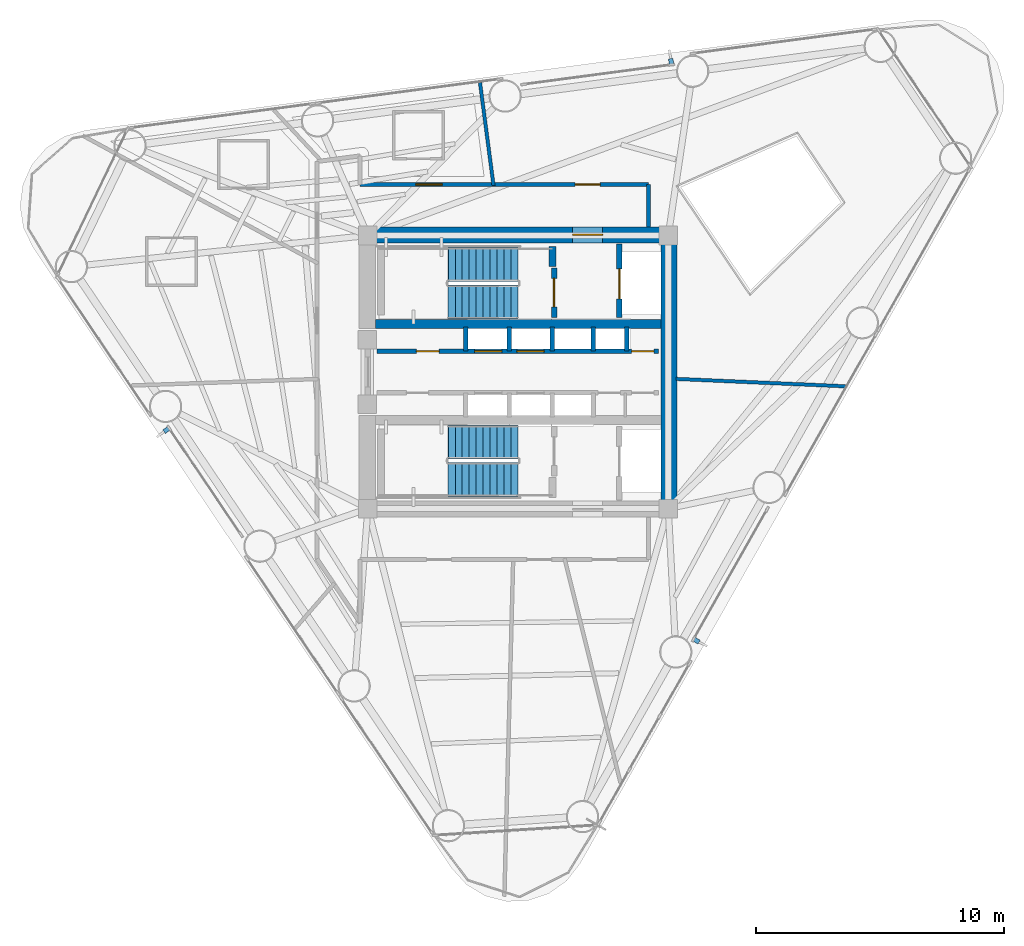
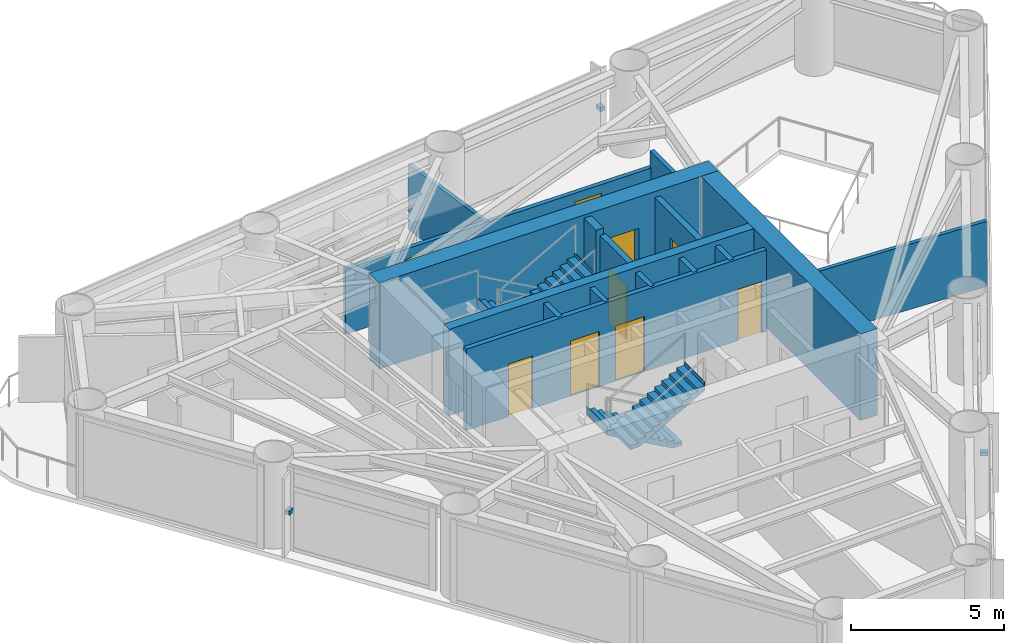
# One storey, part 6 of 9: 16 walls, 9 doors, 4 stair flights, 3 discrete accessories, 9 openings, 2 elements without a shape of their own.
"""IFC4 building model written with IfcOpenShell, lengths in metres."""

from ifc_helpers import new_model, si_unit, direction, frame, frame_2d, origin, origin_2d, place, context, subcontext, project, spatial, polyline, rectangle, outline, extrude, source, transform, mapped, material, layer, layer_set, type_object, element, fill, aggregate, save


model = new_model("IFC4")

# Units and contexts
model_context = context("Model", 3, precision=1e-05, world=origin(), true_north=direction((0.0, 1.0)))
body_context = subcontext(model_context, "Body", "Model", "MODEL_VIEW")
ifc_project = project(units=[si_unit("LENGTHUNIT", "METRE"), si_unit("AREAUNIT", "SQUARE_METRE"), si_unit("VOLUMEUNIT", "CUBIC_METRE"), si_unit("PLANEANGLEUNIT", "RADIAN"), si_unit("MASSUNIT", "GRAM", prefix="KILO")], contexts=[model_context])

# Site, building, storey
site_placement = place(None, origin())
site = spatial("IfcSite", under=ifc_project, at=site_placement, CompositionType="ELEMENT")
building_placement = place(site_placement, origin())
building = spatial("IfcBuilding", under=site, at=building_placement, Name="Yunling Apex Tower", CompositionType="ELEMENT")
storey_placement = place(building_placement, frame((0.0, 0.0, 169.10009765625)))
storey = spatial("IfcBuildingStorey", under=building, at=storey_placement, Name="L41", CompositionType="ELEMENT", Elevation=169.10009765625)

# Wall, opening, door
ifc_material_1 = material(Name="Concrete C50", Category="concrete")
ifc_layer_1 = layer(ifc_material_1, 0.64990234375)
ifc_layer_set_1 = layer_set([ifc_layer_1], Name="Concrete C50")
wall_type_1 = type_object("IfcWallType", Name="WL-COR-2", PredefinedType="SHEAR", material=ifc_layer_set_1)
wall_1_placement = place(storey_placement, frame((-6.39990234375, 5.52490234375, 0.0), z_axis=(0.0, 0.0, 1.0), x_axis=(1.0, 0.0, 0.0)))
wall_1 = element("IfcWall", 1, at=wall_1_placement, inside=storey, type_object=wall_type_1, Name="L41 North Core Shear Wall", PredefinedType="SHEAR", context=body_context, shape_type="SweptSolid", body=[
    extrude(rectangle(XDim=12.7998046875, YDim=0.64990234375, at=frame_2d((6.39990234375, 0.0))), origin(), (0.0, 0.0, 1.0), 3.449951171875),
])
opening_1_placement = place(wall_1_placement, frame((8.60009765625, 0.0, 0.0)))
opening_1 = element("IfcOpeningElement", 2, at=opening_1_placement, cuts=wall_1, Name="Opening DR-FFL-1", PredefinedType="OPENING", context=body_context, shape_type="SweptSolid", body=[
    extrude(rectangle(XDim=1.199951171875, YDim=2.199951171875, at=frame_2d((0.60009765625, 1.10009765625))), frame((0.0, 0.3349609375, 0.0), z_axis=(0.0, -1.0, 0.0), x_axis=(1.0, 0.0, 0.0)), (0.0, 0.0, 1.0), 0.669921875),
])
ifc_material_2 = material(Name="Steel Q355B", Category="steel")
door_type_1 = type_object("IfcDoorType", Name="DR-FFL-1", OperationType="NOTDEFINED", PredefinedType="DOOR", material=ifc_material_2)
door_1_placement = place(opening_1_placement, origin())
door_1 = element("IfcDoor", 3, at=door_1_placement, inside=storey, type_object=door_type_1, Name="L41 North Firefighting Lobby Door", OperationType="SINGLE_SWING_LEFT", OverallHeight=2.199951171875, OverallWidth=1.199951171875, PredefinedType="DOOR", context=body_context, shape_type="SweptSolid", body=[
    extrude(rectangle(XDim=1.199951171875, YDim=2.199951171875, at=frame_2d((0.60009765625, 1.10009765625))), frame((0.0, 0.02490234375, 0.0), z_axis=(0.0, -1.0, 0.0), x_axis=(1.0, 0.0, 0.0)), (0.0, 0.0, 1.0), 0.050048828125),
])
fill(opening_1, door_1)

# Walls
wall_2_placement = place(storey_placement, frame((6.074951171875, -5.199951171875, 0.0), z_axis=(0.0, 0.0, 1.0), x_axis=(0.0, 1.0, 0.0)))
element("IfcWall", 4, at=wall_2_placement, inside=storey, type_object=wall_type_1, Name="L41 East Core Shear Wall", PredefinedType="SHEAR", context=body_context, shape_type="SweptSolid", body=[
    extrude(rectangle(XDim=10.39990234375, YDim=0.64990234375, at=frame_2d((5.199951171875, 0.0))), origin(), (0.0, 0.0, 1.0), 3.449951171875),
])
ifc_material_3 = material(Name="Concrete C40", Category="concrete")
ifc_layer_2 = layer(ifc_material_3, 0.360107421875)
ifc_layer_set_2 = layer_set([ifc_layer_2], Name="Concrete C40")
wall_type_2 = type_object("IfcWallType", Name="WL-COR-4", PredefinedType="SHEAR", material=ifc_layer_set_2)
wall_3_placement = place(storey_placement, frame((-5.75, 1.93994140625, 0.0), z_axis=(0.0, 0.0, 1.0), x_axis=(1.0, 0.0, 0.0)))
element("IfcWall", 5, at=wall_3_placement, inside=storey, type_object=wall_type_2, Name="L41 North Internal Core Shear Wall", PredefinedType="SHEAR", context=body_context, shape_type="SweptSolid", body=[
    extrude(rectangle(XDim=11.5, YDim=0.360107421875, at=frame_2d((5.75, 0.0))), origin(), (0.0, 0.0, 1.0), 3.449951171875),
])
ifc_layer_3 = layer(ifc_material_3, 0.280029296875)
ifc_layer_set_3 = layer_set([ifc_layer_3], Name="Concrete C40")
wall_type_3 = type_object("IfcWallType", Name="WL-COR-8", PredefinedType="SHEAR", material=ifc_layer_set_3)
wall_4_placement = place(storey_placement, frame((1.3798828125, 4.25, 0.0), z_axis=(0.0, 0.0, 1.0), x_axis=(0.0, 1.0, 0.0)))
element("IfcWall", 6, at=wall_4_placement, inside=storey, type_object=wall_type_3, Name="L41 ST-1 East Landing Bearing Pier", PredefinedType="SHEAR", context=body_context, shape_type="SweptSolid", body=[
    extrude(rectangle(XDim=0.800048828125, YDim=0.280029296875, at=frame_2d((0.39990234375, 0.0))), origin(), (0.0, 0.0, 1.0), 3.449951171875),
])

# Wall, openings, doors
ifc_material_4 = material(Name="Gypsum board acoustic partition")
ifc_layer_4 = layer(ifc_material_4, 0.159912109375)
ifc_layer_set_4 = layer_set([ifc_layer_4], Name="Gypsum board acoustic partition")
wall_type_4 = type_object("IfcWallType", Name="WL-PRT-1", PredefinedType="PARTITIONING", material=ifc_layer_set_4)
wall_5_placement = place(storey_placement, frame((-6.360107421875, 7.550048828125, 0.0), z_axis=(0.0, 0.0, 1.0), x_axis=(1.0, 0.0, 0.0)))
wall_5 = element("IfcWall", 7, at=wall_5_placement, inside=storey, type_object=wall_type_4, Name="WL-CORR-L41-06", PredefinedType="PARTITIONING", context=body_context, shape_type="SweptSolid", body=[
    extrude(rectangle(XDim=11.610107421875, YDim=0.159912109375, at=frame_2d((5.80517578125, 0.0))), origin(), (0.0, 0.0, 1.0), 2.60498046875),
])
opening_2_placement = place(wall_5_placement, frame((2.246337890625, 0.0, 0.0)))
opening_2 = element("IfcOpeningElement", 8, at=opening_2_placement, cuts=wall_5, Name="Opening DR-FL-1", PredefinedType="OPENING", context=body_context, shape_type="SweptSolid", body=[
    extrude(rectangle(XDim=1.050048828125, YDim=2.199951171875, at=frame_2d((0.52490234375, 1.10009765625))), frame((0.0, 0.08984375, 0.0), z_axis=(0.0, -1.0, 0.0), x_axis=(1.0, 0.0, 0.0)), (0.0, 0.0, 1.0), 0.179931640625),
])
opening_3_placement = place(wall_5_placement, frame((8.662109375, 0.0, 0.0)))
opening_3 = element("IfcOpeningElement", 9, at=opening_3_placement, cuts=wall_5, Name="Opening DR-OFF-1", PredefinedType="OPENING", context=body_context, shape_type="SweptSolid", body=[
    extrude(rectangle(XDim=1.0, YDim=2.25, at=frame_2d((0.5, 1.125))), frame((0.0, 0.08984375, 0.0), z_axis=(0.0, -1.0, 0.0), x_axis=(1.0, 0.0, 0.0)), (0.0, 0.0, 1.0), 0.179931640625),
])
ifc_material_5 = material(Name="Timber fire-rated leaf", Category="wood")
door_type_2 = type_object("IfcDoorType", Name="DR-FL-1", OperationType="NOTDEFINED", PredefinedType="DOOR", material=ifc_material_5)
door_2_placement = place(opening_2_placement, origin())
door_2 = element("IfcDoor", 10, at=door_2_placement, inside=storey, type_object=door_type_2, Name="L41 Hotel Suite Door", OperationType="SINGLE_SWING_RIGHT", OverallHeight=2.199951171875, OverallWidth=1.050048828125, PredefinedType="DOOR", context=body_context, shape_type="SweptSolid", body=[
    extrude(rectangle(XDim=1.050048828125, YDim=2.199951171875, at=frame_2d((0.52490234375, 1.10009765625))), frame((0.0, 0.02490234375, 0.0), z_axis=(0.0, -1.0, 0.0), x_axis=(1.0, 0.0, 0.0)), (0.0, 0.0, 1.0), 0.050048828125),
])
fill(opening_2, door_2)
ifc_material_6 = material(Name="Bronze anodised aluminium", Category="aluminium")
door_type_3 = type_object("IfcDoorType", Name="DR-OFF-1", OperationType="NOTDEFINED", PredefinedType="DOOR", material=ifc_material_6)
door_3_placement = place(opening_3_placement, origin())
door_3 = element("IfcDoor", 11, at=door_3_placement, inside=storey, type_object=door_type_3, Name="L41 Club Lounge Door", OperationType="SINGLE_SWING_LEFT", OverallHeight=2.25, OverallWidth=1.0, PredefinedType="DOOR", context=body_context, shape_type="SweptSolid", body=[
    extrude(rectangle(XDim=1.0, YDim=2.25, at=frame_2d((0.5, 1.125))), frame((0.0, 0.02490234375, 0.0), z_axis=(0.0, -1.0, 0.0), x_axis=(1.0, 0.0, 0.0)), (0.0, 0.0, 1.0), 0.050048828125),
])
fill(opening_3, door_3)

# Walls
wall_6_placement = place(storey_placement, frame((5.25, 7.550048828125, 0.0), z_axis=(0.0, 0.0, 1.0), x_axis=(0.0, -1.0, 0.0)))
element("IfcWall", 12, at=wall_6_placement, inside=storey, type_object=wall_type_4, Name="WL-CORR-L41-07", PredefinedType="PARTITIONING", context=body_context, shape_type="SweptSolid", body=[
    extrude(rectangle(XDim=1.699951171875, YDim=0.159912109375, at=frame_2d((0.85009765625, 0.0))), origin(), (0.0, 0.0, 1.0), 3.25),
])
ifc_layer_5 = layer(ifc_material_4, 0.139892578125)
ifc_layer_set_5 = layer_set([ifc_layer_5], Name="Gypsum board acoustic partition")
wall_type_5 = type_object("IfcWallType", Name="WL-PRT-2", PredefinedType="PARTITIONING", material=ifc_layer_set_5)
wall_7_placement = place(storey_placement, frame((6.360107421875, -0.277587890625, 0.0), z_axis=(0.0, 0.0, 1.0), x_axis=(0.999047983793, -0.043624833281, 0.0)))
element("IfcWall", 13, at=wall_7_placement, inside=storey, type_object=wall_type_5, Name="WL-RAD-L41-01", PredefinedType="PARTITIONING", context=body_context, shape_type="SweptSolid", body=[
    extrude(rectangle(XDim=6.833251953125, YDim=0.139892578125, at=frame_2d((3.41650390625, 0.0))), origin(), (0.0, 0.0, 1.0), 2.60498046875),
])
wall_8_placement = place(storey_placement, frame((-0.98876953125, 7.510009765625, 0.0), z_axis=(0.0, 0.0, 1.0), x_axis=(-0.130484717168, 0.991450320785, 0.0)))
element("IfcWall", 14, at=wall_8_placement, inside=storey, type_object=wall_type_5, Name="WL-RAD-L41-02", PredefinedType="PARTITIONING", context=body_context, shape_type="SweptSolid", body=[
    extrude(rectangle(XDim=4.181640625, YDim=0.139892578125, at=frame_2d((2.0908203125, 0.0))), origin(), (0.0, 0.0, 1.0), 2.60498046875),
])

# Wall, opening, door
ifc_material_7 = material(Name="Autoclaved aerated concrete masonry", Category="masonry")
ifc_layer_6 = layer(ifc_material_7, 0.219970703125)
ifc_layer_set_6 = layer_set([ifc_layer_6], Name="Autoclaved aerated concrete masonry")
wall_type_6 = type_object("IfcWallType", Name="WL-SHF-1", PredefinedType="PLUMBINGWALL", material=ifc_layer_set_6)
wall_9_placement = place(storey_placement, frame((1.449951171875, 2.199951171875, 0.0), z_axis=(0.0, 0.0, 1.0), x_axis=(0.0, 1.0, 0.0)))
wall_9 = element("IfcWall", 15, at=wall_9_placement, inside=storey, type_object=wall_type_6, Name="WL-ST1-E-L41", PredefinedType="PLUMBINGWALL", context=body_context, shape_type="SweptSolid", body=[
    extrude(rectangle(XDim=1.97998046875, YDim=0.219970703125, at=frame_2d((0.989990234375, 0.0))), origin(), (0.0, 0.0, 1.0), 3.25),
])
opening_4_placement = place(wall_9_placement, frame((0.419921875, 0.0, 0.0)))
opening_4 = element("IfcOpeningElement", 16, at=opening_4_placement, cuts=wall_9, Name="Opening DR-ST-1", PredefinedType="OPENING", context=body_context, shape_type="SweptSolid", body=[
    extrude(rectangle(XDim=1.14990234375, YDim=2.14990234375, at=frame_2d((0.574951171875, 1.074951171875))), frame((0.0, 0.1201171875, 0.0), z_axis=(0.0, -1.0, 0.0), x_axis=(1.0, 0.0, 0.0)), (0.0, 0.0, 1.0), 0.239990234375),
])
door_type_4 = type_object("IfcDoorType", Name="DR-ST-1", OperationType="NOTDEFINED", PredefinedType="DOOR", material=ifc_material_2)
door_4_placement = place(opening_4_placement, origin())
door_4 = element("IfcDoor", 17, at=door_4_placement, inside=storey, type_object=door_type_4, Name="L41 Stair ST-1 Fire Door", OperationType="SINGLE_SWING_LEFT", OverallHeight=2.14990234375, OverallWidth=1.14990234375, PredefinedType="DOOR", context=body_context, shape_type="SweptSolid", body=[
    extrude(rectangle(XDim=1.14990234375, YDim=2.14990234375, at=frame_2d((0.574951171875, 1.074951171875))), frame((0.0, 0.02490234375, 0.0), z_axis=(0.0, -1.0, 0.0), x_axis=(1.0, 0.0, 0.0)), (0.0, 0.0, 1.0), 0.050048828125),
])
fill(opening_4, door_4)

wall_10_placement = place(storey_placement, frame((4.080078125, 2.199951171875, 0.0), z_axis=(0.0, 0.0, 1.0), x_axis=(0.0, 1.0, 0.0)))
wall_10 = element("IfcWall", 18, at=wall_10_placement, inside=storey, type_object=wall_type_6, Name="WL-FFL1-W-L41", PredefinedType="PLUMBINGWALL", context=body_context, shape_type="SweptSolid", body=[
    extrude(rectangle(XDim=2.949951171875, YDim=0.219970703125, at=frame_2d((1.47509765625, 0.0))), origin(), (0.0, 0.0, 1.0), 3.25),
])
opening_5_placement = place(wall_10_placement, frame((0.75, 0.0, 0.0)))
opening_5 = element("IfcOpeningElement", 19, at=opening_5_placement, cuts=wall_10, Name="Opening LD-FFL-1", PredefinedType="OPENING", context=body_context, shape_type="SweptSolid", body=[
    extrude(rectangle(XDim=1.199951171875, YDim=2.25, at=frame_2d((0.60009765625, 1.125))), frame((0.0, 0.1201171875, 0.0), z_axis=(0.0, -1.0, 0.0), x_axis=(1.0, 0.0, 0.0)), (0.0, 0.0, 1.0), 0.239990234375),
])
door_type_5 = type_object("IfcDoorType", Name="LD-FFL-1", OperationType="DOUBLE_DOOR_SLIDING", PredefinedType="DOOR", material=ifc_material_2)
door_5_placement = place(opening_5_placement, origin())
door_5 = element("IfcDoor", 20, at=door_5_placement, inside=storey, type_object=door_type_5, Name="L41 Lift FFL-1 Landing Door", OperationType="DOUBLE_DOOR_SLIDING", OverallHeight=2.25, OverallWidth=1.199951171875, PredefinedType="DOOR", context=body_context, shape_type="SweptSolid", body=[
    extrude(rectangle(XDim=1.199951171875, YDim=2.25, at=frame_2d((0.60009765625, 1.125))), frame((0.0, 0.02490234375, 0.0), z_axis=(0.0, -1.0, 0.0), x_axis=(1.0, 0.0, 0.0)), (0.0, 0.0, 1.0), 0.050048828125),
])
fill(opening_5, door_5)

# Walls
ifc_layer_7 = layer(ifc_material_7, 0.179931640625)
ifc_layer_set_7 = layer_set([ifc_layer_7], Name="Autoclaved aerated concrete masonry")
wall_type_7 = type_object("IfcWallType", Name="WL-SHF-2", PredefinedType="PLUMBINGWALL", material=ifc_layer_set_7)
for number, where, z_axis, x_axis, name in (
    (21, (-2.10009765625, 0.840087890625, 0.0), (0.0, 0.0, 1.0), (0.0, 1.0, 0.0), "WL-BNK-LM-N-L41"),
    (22, (-0.35009765625, 0.840087890625, 0.0), (0.0, 0.0, 1.0), (0.0, 1.0, 0.0), "WL-DIV-M12-L41"),
    (23, (1.3798828125, 0.840087890625, 0.0), (0.0, 0.0, 1.0), (0.0, 1.0, 0.0), "WL-BNK-MH-N-L41"),
    (24, (3.02001953125, 0.840087890625, 0.0), (0.0, 0.0, 1.0), (0.0, 1.0, 0.0), "WL-DIV-H13-L41"),
    (25, (4.3798828125, 0.840087890625, 0.0), (0.0, 0.0, 1.0), (0.0, 1.0, 0.0), "WL-END-H3E-L41"),
):
    element("IfcWall", number, at=place(storey_placement, frame(where, z_axis=z_axis, x_axis=x_axis)), inside=storey, type_object=wall_type_7, Name=name, PredefinedType="PLUMBINGWALL", context=body_context, shape_type="SweptSolid", body=[
        extrude(rectangle(XDim=0.97998046875, YDim=0.179931640625, at=frame_2d((0.489990234375, 0.0))), origin(), (0.0, 0.0, 1.0), 3.25),
    ])

# Wall, openings, doors
wall_11_placement = place(storey_placement, frame((-5.679931640625, 0.840087890625, 0.0), z_axis=(0.0, 0.0, 1.0), x_axis=(1.0, 0.0, 0.0)))
wall_11 = element("IfcWall", 26, at=wall_11_placement, inside=storey, type_object=wall_type_7, Name="WL-LOB-N-L41", PredefinedType="PLUMBINGWALL", context=body_context, shape_type="SweptSolid", body=[
    extrude(rectangle(XDim=11.329833984375, YDim=0.179931640625, at=frame_2d((5.6650390625, 0.0))), origin(), (0.0, 0.0, 1.0), 3.25),
])
opening_6_placement = place(wall_11_placement, frame((1.580078125, 0.0, 0.0)))
opening_6 = element("IfcOpeningElement", 27, at=opening_6_placement, cuts=wall_11, Name="Opening DR-WC-1", PredefinedType="OPENING", context=body_context, shape_type="SweptSolid", body=[
    extrude(rectangle(XDim=0.919921875, YDim=2.10009765625, at=frame_2d((0.4599609375, 1.050048828125))), frame((0.0, 0.10009765625, 0.0), z_axis=(0.0, -1.0, 0.0), x_axis=(1.0, 0.0, 0.0)), (0.0, 0.0, 1.0), 0.199951171875),
])
opening_7_placement = place(wall_11_placement, frame((3.929931640625, 0.0, 0.0)))
opening_7 = element("IfcOpeningElement", 28, at=opening_7_placement, cuts=wall_11, Name="Opening LD-PAS-1", PredefinedType="OPENING", context=body_context, shape_type="SweptSolid", body=[
    extrude(rectangle(XDim=1.10009765625, YDim=2.199951171875, at=frame_2d((0.550048828125, 1.10009765625))), frame((0.0, 0.10009765625, 0.0), z_axis=(0.0, -1.0, 0.0), x_axis=(1.0, 0.0, 0.0)), (0.0, 0.0, 1.0), 0.199951171875),
])
opening_8_placement = place(wall_11_placement, frame((5.6298828125, 0.0, 0.0)))
opening_8 = element("IfcOpeningElement", 29, at=opening_8_placement, cuts=wall_11, Name="Opening LD-PAS-1", PredefinedType="OPENING", context=body_context, shape_type="SweptSolid", body=[
    extrude(rectangle(XDim=1.10009765625, YDim=2.199951171875, at=frame_2d((0.550048828125, 1.10009765625))), frame((0.0, 0.10009765625, 0.0), z_axis=(0.0, -1.0, 0.0), x_axis=(1.0, 0.0, 0.0)), (0.0, 0.0, 1.0), 0.199951171875),
])
opening_9_placement = place(wall_11_placement, frame((10.25, 0.0, 0.0)))
opening_9 = element("IfcOpeningElement", 30, at=opening_9_placement, cuts=wall_11, Name="Opening DR-SHF-1", PredefinedType="OPENING", context=body_context, shape_type="SweptSolid", body=[
    extrude(rectangle(XDim=0.89990234375, YDim=2.050048828125, at=frame_2d((0.449951171875, 1.02490234375))), frame((0.0, 0.10009765625, 0.0), z_axis=(0.0, -1.0, 0.0), x_axis=(1.0, 0.0, 0.0)), (0.0, 0.0, 1.0), 0.199951171875),
])
door_type_6 = type_object("IfcDoorType", Name="DR-SHF-1", OperationType="NOTDEFINED", PredefinedType="DOOR", material=ifc_material_2)
door_6_placement = place(opening_9_placement, origin())
door_6 = element("IfcDoor", 31, at=door_6_placement, inside=storey, type_object=door_type_6, Name="L41 Floor Supply Store Door", OperationType="SINGLE_SWING_RIGHT", OverallHeight=2.050048828125, OverallWidth=0.89990234375, PredefinedType="DOOR", context=body_context, shape_type="SweptSolid", body=[
    extrude(rectangle(XDim=0.89990234375, YDim=2.050048828125, at=frame_2d((0.449951171875, 1.02490234375))), frame((0.0, 0.02490234375, 0.0), z_axis=(0.0, -1.0, 0.0), x_axis=(1.0, 0.0, 0.0)), (0.0, 0.0, 1.0), 0.050048828125),
])
fill(opening_9, door_6)
ifc_material_8 = material(Name="Timber moisture-resistant leaf", Category="wood")
door_type_7 = type_object("IfcDoorType", Name="DR-WC-1", OperationType="NOTDEFINED", PredefinedType="DOOR", material=ifc_material_8)
door_7_placement = place(opening_6_placement, origin())
door_7 = element("IfcDoor", 32, at=door_7_placement, inside=storey, type_object=door_type_7, Name="L41 Floor Staff WC Door", OperationType="SINGLE_SWING_LEFT", OverallHeight=2.10009765625, OverallWidth=0.919921875, PredefinedType="DOOR", context=body_context, shape_type="SweptSolid", body=[
    extrude(rectangle(XDim=0.919921875, YDim=2.10009765625, at=frame_2d((0.4599609375, 1.050048828125))), frame((0.0, 0.02490234375, 0.0), z_axis=(0.0, -1.0, 0.0), x_axis=(1.0, 0.0, 0.0)), (0.0, 0.0, 1.0), 0.050048828125),
])
fill(opening_6, door_7)
ifc_material_9 = material(Name="Silver anodised aluminium", Category="aluminium")
door_type_8 = type_object("IfcDoorType", Name="LD-PAS-1", OperationType="DOUBLE_DOOR_SLIDING", PredefinedType="DOOR", material=ifc_material_9)
door_8_placement = place(opening_7_placement, origin())
door_8 = element("IfcDoor", 33, at=door_8_placement, inside=storey, type_object=door_type_8, Name="L41 Lift PL-M1 Landing Door", OperationType="DOUBLE_DOOR_SLIDING", OverallHeight=2.199951171875, OverallWidth=1.10009765625, PredefinedType="DOOR", context=body_context, shape_type="SweptSolid", body=[
    extrude(rectangle(XDim=1.10009765625, YDim=2.199951171875, at=frame_2d((0.550048828125, 1.10009765625))), frame((0.0, 0.02490234375, 0.0), z_axis=(0.0, -1.0, 0.0), x_axis=(1.0, 0.0, 0.0)), (0.0, 0.0, 1.0), 0.050048828125),
])
fill(opening_7, door_8)
door_9_placement = place(opening_8_placement, origin())
door_9 = element("IfcDoor", 34, at=door_9_placement, inside=storey, type_object=door_type_8, Name="L41 Lift PL-M2 Landing Door", OperationType="DOUBLE_DOOR_SLIDING", OverallHeight=2.199951171875, OverallWidth=1.10009765625, PredefinedType="DOOR", context=body_context, shape_type="SweptSolid", body=[
    extrude(rectangle(XDim=1.10009765625, YDim=2.199951171875, at=frame_2d((0.550048828125, 1.10009765625))), frame((0.0, 0.02490234375, 0.0), z_axis=(0.0, -1.0, 0.0), x_axis=(1.0, 0.0, 0.0)), (0.0, 0.0, 1.0), 0.050048828125),
])
fill(opening_8, door_9)

# Stair, stair flights
stair_type = type_object("IfcStairType", Name="ST-TWR-2", PredefinedType="HALF_TURN_STAIR", material=ifc_material_3)
stair_1_placement = place(storey_placement, origin())
stair_1 = element("IfcStair", 35, at=stair_1_placement, inside=storey, type_object=stair_type, Name="L41 North Core Smokeproof Exit Stair ST-1", PredefinedType="HALF_TURN_STAIR")
stair_flight_type = type_object("IfcStairFlightType", Name="SFL-TWR-2", PredefinedType="STRAIGHT", material=ifc_material_3)
stair_flight_1_placement = place(storey_placement, frame((-0.010009765625, 4.330078125, 0.0), z_axis=(0.0, 0.0, 1.0), x_axis=(-1.0, 0.0, 0.0)))
stair_flight_1 = element("IfcStairFlight", 36, at=stair_flight_1_placement, type_object=stair_flight_type, Name="ST-1 flight 1", NumberOfRisers=11, NumberOfTreads=10, PredefinedType="STRAIGHT", RiserHeight=0.156818182, TreadLength=0.28, context=body_context, shape_type="SweptSolid", body=[
    extrude(outline(polyline([(-0.011962890625, 0.0), (-0.011962890625, 0.15673828125), (0.0, 0.15673828125), (0.280029296875, 0.15673828125), (0.280029296875, 0.313720703125), (0.56005859375, 0.313720703125), (0.56005859375, 0.470458984375), (0.840087890625, 0.470458984375), (0.840087890625, 0.627197265625), (1.1201171875, 0.627197265625), (1.1201171875, 0.7841796875), (1.39990234375, 0.7841796875), (1.39990234375, 0.94091796875), (1.679931640625, 0.94091796875), (1.679931640625, 1.09765625), (1.9599609375, 1.09765625), (1.9599609375, 1.254638671875), (2.239990234375, 1.254638671875), (2.239990234375, 1.411376953125), (2.52001953125, 1.411376953125), (2.52001953125, 1.568115234375), (2.800048828125, 1.568115234375), (2.800048828125, 1.72509765625), (2.81201171875, 1.72509765625), (2.81201171875, 1.385009765625), (0.3271484375, 0.0), (-0.011962890625, 0.0)])), frame((0.0, 0.68017578125, 0.0), z_axis=(0.0, -1.0, 0.0), x_axis=(1.0, 0.0, 0.0)), (0.0, 0.0, 1.0), 1.360107421875),
])
stair_flight_2_placement = place(storey_placement, frame((-2.81005859375, 2.820068359375, 1.724853515625), z_axis=(0.0, 0.0, 1.0), x_axis=(1.0, 0.0, 0.0)))
stair_flight_2 = element("IfcStairFlight", 37, at=stair_flight_2_placement, type_object=stair_flight_type, Name="ST-1 flight 2", NumberOfRisers=11, NumberOfTreads=10, PredefinedType="STRAIGHT", RiserHeight=0.156818182, TreadLength=0.28, context=body_context, shape_type="SweptSolid", body=[
    extrude(outline(polyline([(-0.011962890625, 0.0), (-0.011962890625, 0.15673828125), (0.0, 0.15673828125), (0.280029296875, 0.15673828125), (0.280029296875, 0.313720703125), (0.56005859375, 0.313720703125), (0.56005859375, 0.470458984375), (0.840087890625, 0.470458984375), (0.840087890625, 0.627197265625), (1.1201171875, 0.627197265625), (1.1201171875, 0.7841796875), (1.39990234375, 0.7841796875), (1.39990234375, 0.94091796875), (1.679931640625, 0.94091796875), (1.679931640625, 1.09765625), (1.9599609375, 1.09765625), (1.9599609375, 1.254638671875), (2.239990234375, 1.254638671875), (2.239990234375, 1.411376953125), (2.52001953125, 1.411376953125), (2.52001953125, 1.568115234375), (2.800048828125, 1.568115234375), (2.800048828125, 1.72509765625), (2.81201171875, 1.72509765625), (2.81201171875, 1.385009765625), (0.3271484375, 0.0), (-0.011962890625, 0.0)])), frame((0.0, 0.68017578125, 0.0), z_axis=(0.0, -1.0, 0.0), x_axis=(1.0, 0.0, 0.0)), (0.0, 0.0, 1.0), 1.360107421875),
])
aggregate(stair_1, [stair_flight_1, stair_flight_2])

stair_2_placement = place(storey_placement, origin())
stair_2 = element("IfcStair", 38, at=stair_2_placement, inside=storey, type_object=stair_type, Name="L41 South Core Smokeproof Exit Stair ST-2", PredefinedType="HALF_TURN_STAIR")
stair_flight_3_placement = place(storey_placement, frame((-0.010009765625, -2.820068359375, 0.0), z_axis=(0.0, 0.0, 1.0), x_axis=(-1.0, 0.0, 0.0)))
stair_flight_3 = element("IfcStairFlight", 39, at=stair_flight_3_placement, type_object=stair_flight_type, Name="ST-2 flight 1", NumberOfRisers=11, NumberOfTreads=10, PredefinedType="STRAIGHT", RiserHeight=0.156818182, TreadLength=0.28, context=body_context, shape_type="SweptSolid", body=[
    extrude(outline(polyline([(-0.011962890625, 0.0), (-0.011962890625, 0.15673828125), (0.0, 0.15673828125), (0.280029296875, 0.15673828125), (0.280029296875, 0.313720703125), (0.56005859375, 0.313720703125), (0.56005859375, 0.470458984375), (0.840087890625, 0.470458984375), (0.840087890625, 0.627197265625), (1.1201171875, 0.627197265625), (1.1201171875, 0.7841796875), (1.39990234375, 0.7841796875), (1.39990234375, 0.94091796875), (1.679931640625, 0.94091796875), (1.679931640625, 1.09765625), (1.9599609375, 1.09765625), (1.9599609375, 1.254638671875), (2.239990234375, 1.254638671875), (2.239990234375, 1.411376953125), (2.52001953125, 1.411376953125), (2.52001953125, 1.568115234375), (2.800048828125, 1.568115234375), (2.800048828125, 1.72509765625), (2.81201171875, 1.72509765625), (2.81201171875, 1.385009765625), (0.3271484375, 0.0), (-0.011962890625, 0.0)])), frame((0.0, 0.68017578125, 0.0), z_axis=(0.0, -1.0, 0.0), x_axis=(1.0, 0.0, 0.0)), (0.0, 0.0, 1.0), 1.360107421875),
])
stair_flight_4_placement = place(storey_placement, frame((-2.81005859375, -4.330078125, 1.724853515625), z_axis=(0.0, 0.0, 1.0), x_axis=(1.0, 0.0, 0.0)))
stair_flight_4 = element("IfcStairFlight", 40, at=stair_flight_4_placement, type_object=stair_flight_type, Name="ST-2 flight 2", NumberOfRisers=11, NumberOfTreads=10, PredefinedType="STRAIGHT", RiserHeight=0.156818182, TreadLength=0.28, context=body_context, shape_type="SweptSolid", body=[
    extrude(outline(polyline([(-0.011962890625, 0.0), (-0.011962890625, 0.15673828125), (0.0, 0.15673828125), (0.280029296875, 0.15673828125), (0.280029296875, 0.313720703125), (0.56005859375, 0.313720703125), (0.56005859375, 0.470458984375), (0.840087890625, 0.470458984375), (0.840087890625, 0.627197265625), (1.1201171875, 0.627197265625), (1.1201171875, 0.7841796875), (1.39990234375, 0.7841796875), (1.39990234375, 0.94091796875), (1.679931640625, 0.94091796875), (1.679931640625, 1.09765625), (1.9599609375, 1.09765625), (1.9599609375, 1.254638671875), (2.239990234375, 1.254638671875), (2.239990234375, 1.411376953125), (2.52001953125, 1.411376953125), (2.52001953125, 1.568115234375), (2.800048828125, 1.568115234375), (2.800048828125, 1.72509765625), (2.81201171875, 1.72509765625), (2.81201171875, 1.385009765625), (0.3271484375, 0.0), (-0.011962890625, 0.0)])), frame((0.0, 0.68017578125, 0.0), z_axis=(0.0, -1.0, 0.0), x_axis=(1.0, 0.0, 0.0)), (0.0, 0.0, 1.0), 1.360107421875),
])
aggregate(stair_2, [stair_flight_3, stair_flight_4])

# Discrete accessories
discrete_accessory_type = type_object("IfcDiscreteAccessoryType", Name="BK-FIN-1", PredefinedType="BRACKET", material=ifc_material_2)
shared_shape = source(origin(), body_context, "Body", "SweptSolid", [
    extrude(rectangle(XDim=0.179931640625, YDim=0.260009765625, at=origin_2d()), origin(), (0.0, 0.0, 1.0), 0.159912109375),
])
for number, where, z_axis, x_axis, name in (
    (41, (7.177490234375, -10.814697265625, 1.55517578125), (0.0, 0.0, 1.0), (0.493031062956, 0.87001170737, 0.0), "CW-L41-F1-B2-BRK-01-1"),
    (42, (6.164794921875, 12.493408203125, 1.55517578125), (0.0, 0.0, 1.0), (-0.9913534953, -0.131218319443, 0.0), "CW-L41-F2-B2-BRK-01-1"),
    (43, (-14.15087890625, -2.33056640625, 1.55517578125), (0.0, 0.0, 1.0), (0.559192903471, -0.829037572555, 0.0), "CW-L41-F3-B2-BRK-01-1"),
):
    element("IfcDiscreteAccessory", number, at=place(storey_placement, frame(where, z_axis=z_axis, x_axis=x_axis)), inside=storey, type_object=discrete_accessory_type, Name=name, PredefinedType="BRACKET", context=body_context, shape_type="MappedRepresentation", body=[
        mapped(shared_shape, transform((0.0, 0.0, 0.0), scale=1.0)),
    ])

save(model, "model.ifc")
